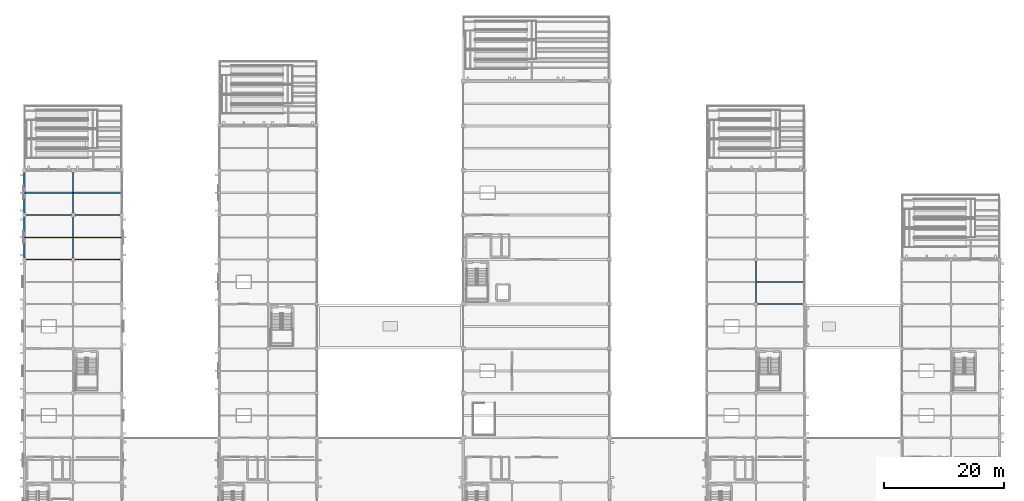
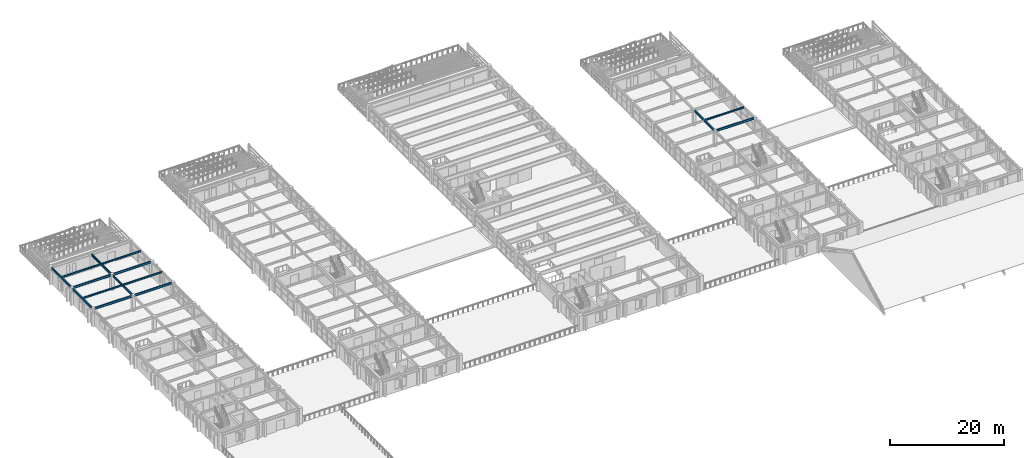
# One storey, part 41 of 121: 15 beams.
"""IFC4 building model written with IfcOpenShell, lengths in metres."""

from ifc_helpers import new_model, si_unit, direction, frame, origin, origin_2d, place, context, subcontext, project, spatial, i_section, extrude, material, material_profile, profile_set, type_object, element, save


model = new_model("IFC4")

# Units and contexts
model_context = context("Model", 3, precision=1e-05, world=origin(), true_north=direction((0.0, 1.0)))
body_context = subcontext(model_context, "Body", "Model", "MODEL_VIEW")
ifc_project = project(units=[si_unit("LENGTHUNIT", "METRE"), si_unit("AREAUNIT", "SQUARE_METRE"), si_unit("VOLUMEUNIT", "CUBIC_METRE"), si_unit("PLANEANGLEUNIT", "RADIAN"), si_unit("MASSUNIT", "GRAM", prefix="KILO")], contexts=[model_context])

# Site, building, storey
site_placement = place(None, origin())
site = spatial("IfcSite", under=ifc_project, at=site_placement, CompositionType="ELEMENT")
building_placement = place(site_placement, origin())
building = spatial("IfcBuilding", under=site, at=building_placement, Name="Cimatlan Art Gallery", CompositionType="ELEMENT")
storey_placement = place(building_placement, frame((0.0, 0.0, 10.199951171875)))
storey = spatial("IfcBuildingStorey", under=building, at=storey_placement, Name="L02", CompositionType="ELEMENT", Elevation=10.199951171875)

# Beams
ifc_material = material(Name="Steel ASTM A992 Grade 50", Category="steel")
ifc_material_profile_1 = material_profile(ifc_material, i_section(OverallWidth=0.1708984375, OverallDepth=0.35107421875, WebThickness=0.0068359375, FlangeThickness=0.009765625, at=origin_2d()), Name="W14X30")
ifc_profile_set_1 = profile_set([ifc_material_profile_1], Name="Steel ASTM A992 Grade 50")
beam_type_1 = type_object("IfcBeamType", Name="BM-STL-W14X30", PredefinedType="JOIST", material=ifc_profile_set_1)
for number, where, z_axis, x_axis, name in (
    (1, (2.095458984375, 72.0, 3.194580078125), (1.0, 0.0, 0.0), (0.0, 1.0, 0.0), "JST-L02-00-09"),
    (2, (2.095458984375, 79.39990234375, 3.194580078125), (1.0, 0.0, 0.0), (0.0, 1.0, 0.0), "JST-L02-00-10"),
    (3, (10.195556640625, 72.0, 3.194580078125), (1.0, 0.0, 0.0), (0.0, 1.0, 0.0), "JST-L02-01-09"),
    (4, (10.195556640625, 79.39990234375, 3.194580078125), (1.0, 0.0, 0.0), (0.0, 1.0, 0.0), "JST-L02-01-10"),
    (5, (123.595458984375, 64.60009765625, 3.194580078125), (1.0, 0.0, 0.0), (0.0, 1.0, 0.0), "JST-L02-15-08"),
):
    element("IfcBeam", number, at=place(storey_placement, frame(where, z_axis=z_axis, x_axis=x_axis)), inside=storey, type_object=beam_type_1, Name=name, PredefinedType="JOIST", context=body_context, shape_type="SweptSolid", body=[
        extrude(i_section(OverallWidth=0.1708984375, OverallDepth=0.35107421875, WebThickness=0.0068359375, FlangeThickness=0.009765625, at=origin_2d()), origin(), (0.0, 0.0, 1.0), 7.908935546875),
    ])
ifc_material_profile_2 = material_profile(ifc_material, i_section(OverallWidth=0.19091796875, OverallDepth=0.45703125, WebThickness=0.009033203125, FlangeThickness=0.014404296875, at=origin_2d()), Name="W18X50")
ifc_profile_set_2 = profile_set([ifc_material_profile_2], Name="Steel ASTM A992 Grade 50")
beam_type_2 = type_object("IfcBeamType", Name="BM-STL-W18X50", PredefinedType="BEAM", material=ifc_profile_set_2)
beam_1_placement = place(storey_placement, frame((2.0, 68.60009765625, 3.1416015625), z_axis=(0.0, 1.0, 0.0), x_axis=(-1.0, 0.0, 0.0)))
element("IfcBeam", 6, at=beam_1_placement, inside=storey, type_object=beam_type_2, Name="BM-Y-L02-00-09", PredefinedType="BEAM", context=body_context, shape_type="SweptSolid", body=[
    extrude(i_section(OverallWidth=0.19091796875, OverallDepth=0.45703125, WebThickness=0.009033203125, FlangeThickness=0.014404296875, at=origin_2d()), origin(), (0.0, 0.0, 1.0), 6.7998046875),
])
beam_2_placement = place(storey_placement, frame((2.0, 76.0, 3.1416015625), z_axis=(0.0, 1.0, 0.0), x_axis=(-1.0, 0.0, 0.0)))
element("IfcBeam", 7, at=beam_2_placement, inside=storey, type_object=beam_type_2, Name="BM-Y-L02-00-10", PredefinedType="BEAM", context=body_context, shape_type="SweptSolid", body=[
    extrude(i_section(OverallWidth=0.19091796875, OverallDepth=0.45703125, WebThickness=0.009033203125, FlangeThickness=0.014404296875, at=origin_2d()), origin(), (0.0, 0.0, 1.0), 6.800048828125),
])
beam_3_placement = place(storey_placement, frame((10.10009765625, 68.60009765625, 3.1416015625), z_axis=(0.0, 1.0, 0.0), x_axis=(-1.0, 0.0, 0.0)))
element("IfcBeam", 8, at=beam_3_placement, inside=storey, type_object=beam_type_2, Name="BM-Y-L02-01-09", PredefinedType="BEAM", context=body_context, shape_type="SweptSolid", body=[
    extrude(i_section(OverallWidth=0.19091796875, OverallDepth=0.45703125, WebThickness=0.009033203125, FlangeThickness=0.014404296875, at=origin_2d()), origin(), (0.0, 0.0, 1.0), 6.7998046875),
])
beam_4_placement = place(storey_placement, frame((10.10009765625, 76.0, 3.1416015625), z_axis=(0.0, 1.0, 0.0), x_axis=(-1.0, 0.0, 0.0)))
element("IfcBeam", 9, at=beam_4_placement, inside=storey, type_object=beam_type_2, Name="BM-Y-L02-01-10", PredefinedType="BEAM", context=body_context, shape_type="SweptSolid", body=[
    extrude(i_section(OverallWidth=0.19091796875, OverallDepth=0.45703125, WebThickness=0.009033203125, FlangeThickness=0.014404296875, at=origin_2d()), origin(), (0.0, 0.0, 1.0), 6.800048828125),
])
beam_5_placement = place(storey_placement, frame((123.5, 61.175048828125, 3.1416015625), z_axis=(0.0, 1.0, 0.0), x_axis=(-1.0, 0.0, 0.0)))
element("IfcBeam", 10, at=beam_5_placement, inside=storey, type_object=beam_type_2, Name="BM-Y-L02-15-08", PredefinedType="BEAM", context=body_context, shape_type="SweptSolid", body=[
    extrude(i_section(OverallWidth=0.19091796875, OverallDepth=0.45703125, WebThickness=0.009033203125, FlangeThickness=0.014404296875, at=origin_2d()), origin(), (0.0, 0.0, 1.0), 6.849853515625),
])
for number, where, z_axis, x_axis, name in (
    (11, (2.300048828125, 68.300048828125, 3.1416015625), (1.0, 0.0, 0.0), (0.0, 1.0, 0.0), "BM-X-L02-00-09"),
    (12, (2.300048828125, 75.699951171875, 3.1416015625), (1.0, 0.0, 0.0), (0.0, 1.0, 0.0), "BM-X-L02-00-10"),
    (13, (10.39990234375, 68.300048828125, 3.1416015625), (1.0, 0.0, 0.0), (0.0, 1.0, 0.0), "BM-X-L02-01-09"),
    (14, (10.39990234375, 75.699951171875, 3.1416015625), (1.0, 0.0, 0.0), (0.0, 1.0, 0.0), "BM-X-L02-01-10"),
):
    element("IfcBeam", number, at=place(storey_placement, frame(where, z_axis=z_axis, x_axis=x_axis)), inside=storey, type_object=beam_type_2, Name=name, PredefinedType="BEAM", context=body_context, shape_type="SweptSolid", body=[
        extrude(i_section(OverallWidth=0.19091796875, OverallDepth=0.45703125, WebThickness=0.009033203125, FlangeThickness=0.014404296875, at=origin_2d()), origin(), (0.0, 0.0, 1.0), 7.5),
    ])
beam_6_placement = place(storey_placement, frame((123.77490234375, 60.89990234375, 3.1416015625), z_axis=(1.0, 0.0, 0.0), x_axis=(0.0, 1.0, 0.0)))
element("IfcBeam", 15, at=beam_6_placement, inside=storey, type_object=beam_type_2, Name="BM-X-L02-15-08", PredefinedType="BEAM", context=body_context, shape_type="SweptSolid", body=[
    extrude(i_section(OverallWidth=0.19091796875, OverallDepth=0.45703125, WebThickness=0.009033203125, FlangeThickness=0.014404296875, at=origin_2d()), origin(), (0.0, 0.0, 1.0), 7.550048828125),
])

save(model, "model.ifc")
